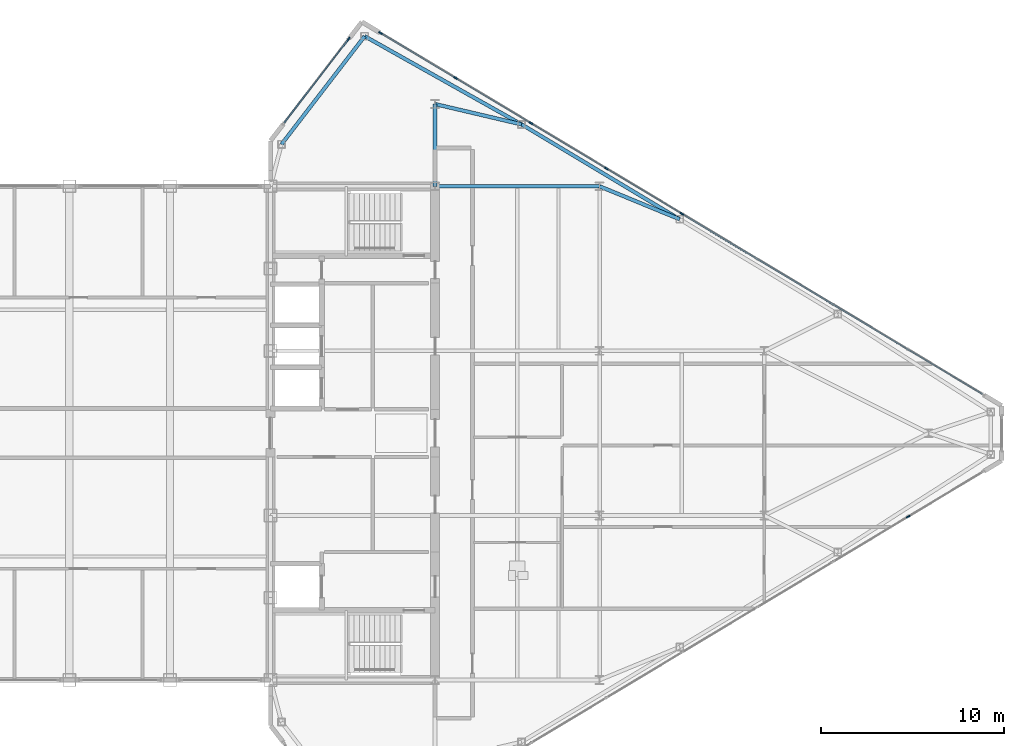
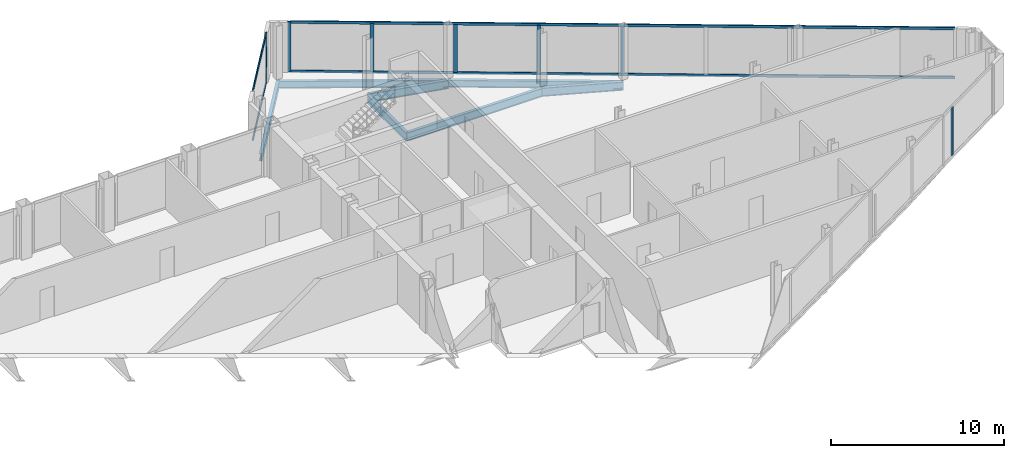
# One storey, part 17 of 28: 11 members, 7 beams, 3 elements without a shape of their own.
"""IFC4 building model written with IfcOpenShell, lengths in metres."""

from ifc_helpers import new_model, si_unit, direction, frame, origin, origin_2d, place, context, subcontext, project, spatial, rectangle, i_section, extrude, source, transform, mapped, material, layer, layer_set, material_profile, profile_set, type_object, type_shapes, element, aggregate, save


model = new_model("IFC4")

# Units and contexts
model_context = context("Model", 3, precision=1e-05, world=origin(), true_north=direction((0.0, 1.0)))
body_context = subcontext(model_context, "Body", "Model", "MODEL_VIEW")
ifc_project = project(units=[si_unit("LENGTHUNIT", "METRE"), si_unit("AREAUNIT", "SQUARE_METRE"), si_unit("VOLUMEUNIT", "CUBIC_METRE"), si_unit("PLANEANGLEUNIT", "RADIAN"), si_unit("MASSUNIT", "GRAM", prefix="KILO")], contexts=[model_context])

# Site, building, storey
site_placement = place(None, origin())
site = spatial("IfcSite", under=ifc_project, at=site_placement, CompositionType="ELEMENT")
building_placement = place(site_placement, origin())
building = spatial("IfcBuilding", under=site, at=building_placement, Name="Seokmaru Belvedere", CompositionType="ELEMENT")
storey_placement = place(building_placement, frame((0.0, 0.0, 261.89990234375)))
storey = spatial("IfcBuildingStorey", under=building, at=storey_placement, Name="L69", CompositionType="ELEMENT", Elevation=261.89990234375)

# Beams
ifc_material_1 = material(Name="Steel SM355 (355 MPa)", Category="steel")
ifc_material_profile_1 = material_profile(ifc_material_1, i_section(OverallWidth=0.199951171875, OverallDepth=0.60009765625, WebThickness=0.010986328125, FlangeThickness=0.01708984375, at=origin_2d()), Name="H-600x200x11x17")
ifc_profile_set_1 = profile_set([ifc_material_profile_1], Name="Steel SM355 (355 MPa)")
beam_type_1 = type_object("IfcBeamType", Name="Primary Floor Girder H-600", PredefinedType="BEAM", material=ifc_profile_set_1)
shared_shape_1 = source(origin(), body_context, "Body", "SweptSolid", [
    extrude(i_section(OverallWidth=0.199951171875, OverallDepth=0.60009765625, WebThickness=0.010986328125, FlangeThickness=0.01708984375, at=origin_2d()), origin(), (0.0, 0.0, 1.0), 9.0),
])
beam_1_placement = place(storey_placement, frame((36.5, 13.5, -0.52001953125), z_axis=(1.0, 0.0, 0.0), x_axis=(0.0, 1.0, 0.0)))
element("IfcBeam", 1, at=beam_1_placement, inside=storey, type_object=beam_type_1, Name="L69 E Wing Primary Girder 4", PredefinedType="BEAM", context=body_context, shape_type="MappedRepresentation", body=[
    mapped(shared_shape_1, transform((0.0, 0.0, 0.0), scale=1.0)),
])
shared_shape_2 = source(origin(), body_context, "Body", "SweptSolid", [
    extrude(i_section(OverallWidth=0.199951171875, OverallDepth=0.60009765625, WebThickness=0.010986328125, FlangeThickness=0.01708984375, at=origin_2d()), origin(), (0.0, 0.0, 1.0), 4.5),
])
beam_2_placement = place(storey_placement, frame((36.5, 13.5, -0.52001953125), z_axis=(0.0, 1.0, 0.0), x_axis=(-1.0, 0.0, 0.0)))
element("IfcBeam", 2, at=beam_2_placement, inside=storey, type_object=beam_type_1, Name="L69 E Core Shoulder Girder N", PredefinedType="BEAM", context=body_context, shape_type="MappedRepresentation", body=[
    mapped(shared_shape_2, transform((0.0, 0.0, 0.0), scale=1.0)),
])
ifc_material_profile_2 = material_profile(ifc_material_1, i_section(OverallWidth=0.199951171875, OverallDepth=0.5, WebThickness=0.010009765625, FlangeThickness=0.01611328125, at=origin_2d()), Name="H-500x200x10x16")
ifc_profile_set_2 = profile_set([ifc_material_profile_2], Name="Steel SM355 (355 MPa)")
beam_type_2 = type_object("IfcBeamType", Name="Perimeter Spandrel Beam H-500", PredefinedType="SPANDREL", material=ifc_profile_set_2)
shared_shape_3 = source(origin(), body_context, "Body", "SweptSolid", [
    extrude(i_section(OverallWidth=0.199951171875, OverallDepth=0.5, WebThickness=0.010009765625, FlangeThickness=0.01611328125, at=origin_2d()), origin(), (0.0, 0.0, 1.0), 9.842041015625),
])
beam_3_placement = place(storey_placement, frame((32.649658203125, 21.71044921875, -0.469970703125), z_axis=(0.871782151818, -0.489893743349, 0.0), x_axis=(0.489893743349, 0.871782151818, 0.0)))
element("IfcBeam", 3, at=beam_3_placement, inside=storey, type_object=beam_type_2, Name="L69 E Faceted Flank Spandrel N-1", PredefinedType="SPANDREL", context=body_context, shape_type="MappedRepresentation", body=[
    mapped(shared_shape_3, transform((0.0, 0.0, 0.0), scale=1.0)),
])
shared_shape_4 = source(origin(), body_context, "Body", "SweptSolid", [
    extrude(i_section(OverallWidth=0.199951171875, OverallDepth=0.5, WebThickness=0.010009765625, FlangeThickness=0.01611328125, at=origin_2d()), origin(), (0.0, 0.0, 1.0), 10.087646484375),
])
beam_4_placement = place(storey_placement, frame((41.229736328125, 16.888916015625, -0.469970703125), z_axis=(0.857499332045, -0.514485078056, 0.0), x_axis=(0.514485078056, 0.857499332045, 0.0)))
element("IfcBeam", 4, at=beam_4_placement, inside=storey, type_object=beam_type_2, Name="L69 E Faceted Flank Spandrel N-2", PredefinedType="SPANDREL", context=body_context, shape_type="MappedRepresentation", body=[
    mapped(shared_shape_4, transform((0.0, 0.0, 0.0), scale=1.0)),
])
shared_shape_5 = source(origin(), body_context, "Body", "SweptSolid", [
    extrude(i_section(OverallWidth=0.199951171875, OverallDepth=0.5, WebThickness=0.010009765625, FlangeThickness=0.01611328125, at=origin_2d()), origin(), (0.0, 0.0, 1.0), 7.4619140625),
])
type_shapes(beam_type_2, [shared_shape_3, shared_shape_4, shared_shape_5])
beam_5_placement = place(storey_placement, frame((32.649658203125, 21.71044921875, -0.469970703125), z_axis=(-0.609702854945, -0.792630070507, 0.0), x_axis=(0.792630070507, -0.609702854945, 0.0)))
element("IfcBeam", 5, at=beam_5_placement, inside=storey, type_object=beam_type_2, Name="L69 E Shoulder Chamfer Spandrel N", PredefinedType="SPANDREL", context=body_context, shape_type="MappedRepresentation", body=[
    mapped(shared_shape_5, transform((0.0, 0.0, 0.0), scale=1.0)),
])
shared_shape_6 = source(origin(), body_context, "Body", "SweptSolid", [
    extrude(i_section(OverallWidth=0.199951171875, OverallDepth=0.60009765625, WebThickness=0.010986328125, FlangeThickness=0.01708984375, at=origin_2d()), origin(), (0.0, 0.0, 1.0), 4.8583984375),
])
beam_6_placement = place(storey_placement, frame((41.229736328125, 16.888916015625, -0.52001953125), z_axis=(-0.97349948295, 0.228689214211, 0.0), x_axis=(-0.228689214211, -0.97349948295, 0.0)))
element("IfcBeam", 6, at=beam_6_placement, inside=storey, type_object=beam_type_1, Name="L69 E Flank Radial Floor Girder N-1", PredefinedType="BEAM", context=body_context, shape_type="MappedRepresentation", body=[
    mapped(shared_shape_6, transform((0.0, 0.0, 0.0), scale=1.0)),
])
shared_shape_7 = source(origin(), body_context, "Body", "SweptSolid", [
    extrude(i_section(OverallWidth=0.199951171875, OverallDepth=0.60009765625, WebThickness=0.010986328125, FlangeThickness=0.01708984375, at=origin_2d()), origin(), (0.0, 0.0, 1.0), 4.73583984375),
])
type_shapes(beam_type_1, [shared_shape_1, shared_shape_2, shared_shape_6, shared_shape_7])
beam_7_placement = place(storey_placement, frame((49.8798828125, 11.698974609375, -0.52001953125), z_axis=(-0.924860562953, 0.380306375301, 0.0), x_axis=(-0.380306375301, -0.924860562953, 0.0)))
element("IfcBeam", 7, at=beam_7_placement, inside=storey, type_object=beam_type_1, Name="L69 E Flank Radial Floor Girder N-2", PredefinedType="BEAM", context=body_context, shape_type="MappedRepresentation", body=[
    mapped(shared_shape_7, transform((0.0, 0.0, 0.0), scale=1.0)),
])

# Curtain wall, members
ifc_material_2 = material(Name="Bronze Triple Insulating Glass", Category="glass")
ifc_layer = layer(ifc_material_2, 0.219970703125)
ifc_layer_set = layer_set([ifc_layer], Name="Bronze Triple Insulating Glass")
curtain_wall_type = type_object("IfcCurtainWallType", Name="Sky-Gate Bridge Panorama Curtain Wall System CW-6", PredefinedType="NOTDEFINED", material=ifc_layer_set)
curtain_wall_1_placement = place(storey_placement, origin())
curtain_wall_1 = element("IfcCurtainWall", 8, at=curtain_wall_1_placement, inside=storey, type_object=curtain_wall_type, Name="L69 Curtain Wall EF4", PredefinedType="NOTDEFINED")
ifc_material_3 = material(Name="Anodised Bronze Aluminium", Category="aluminium")
ifc_material_profile_3 = material_profile(ifc_material_3, rectangle(XDim=0.074951171875, YDim=0.179931640625, at=origin_2d()), Name="CW-T-75x180")
ifc_profile_set_3 = profile_set([ifc_material_profile_3], Name="Anodised Bronze Aluminium")
member_type_1 = type_object("IfcMemberType", Name="Bronze Unitised Transom 75x180", PredefinedType="USERDEFINED", material=ifc_profile_set_3)
shared_shape_8 = source(origin(), body_context, "Body", "SweptSolid", [
    extrude(rectangle(XDim=0.074951171875, YDim=0.179931640625, at=origin_2d()), origin(), (0.0, 0.0, 1.0), 5.74072265625),
])
member_1_placement = place(storey_placement, frame((31.75, 21.525146484375, 0.03759765625), z_axis=(-0.609686097287, -0.792642960465, 0.0), x_axis=(0.792642960465, -0.609686097287, 0.0)))
member_1 = element("IfcMember", 9, at=member_1_placement, type_object=member_type_1, Name="CW:L69:EF4 Continuous Transom 1", ObjectType="TRANSOM", PredefinedType="USERDEFINED", context=body_context, shape_type="MappedRepresentation", body=[
    mapped(shared_shape_8, transform((0.0, 0.0, 0.0), scale=1.0)),
])
member_2_placement = place(storey_placement, frame((31.75, 21.525146484375, 3.49267578125), z_axis=(-0.609686097287, -0.792642960465, 0.0), x_axis=(0.792642960465, -0.609686097287, 0.0)))
member_2 = element("IfcMember", 10, at=member_2_placement, type_object=member_type_1, Name="CW:L69:EF4 Continuous Transom 2", ObjectType="TRANSOM", PredefinedType="USERDEFINED", context=body_context, shape_type="MappedRepresentation", body=[
    mapped(shared_shape_8, transform((0.0, 0.0, 0.0), scale=1.0)),
])

curtain_wall_2_placement = place(storey_placement, origin())
curtain_wall_2 = element("IfcCurtainWall", 11, at=curtain_wall_2_placement, inside=storey, type_object=curtain_wall_type, Name="L69 Curtain Wall EF3", PredefinedType="NOTDEFINED")
shared_shape_9 = source(origin(), body_context, "Body", "SweptSolid", [
    extrude(rectangle(XDim=0.074951171875, YDim=0.179931640625, at=origin_2d()), origin(), (0.0, 0.0, 1.0), 38.356689453125),
])
type_shapes(member_type_1, [shared_shape_8, shared_shape_9])
member_3_placement = place(storey_placement, frame((66.4453125, 2.1328125, 0.03759765625), z_axis=(-0.857492925713, 0.514495755428, 0.0), x_axis=(-0.514495755428, -0.857492925713, 0.0)))
member_3 = element("IfcMember", 12, at=member_3_placement, type_object=member_type_1, Name="CW:L69:EF3 Continuous Transom 1", ObjectType="TRANSOM", PredefinedType="USERDEFINED", context=body_context, shape_type="MappedRepresentation", body=[
    mapped(shared_shape_9, transform((0.0, 0.0, 0.0), scale=1.0)),
])
member_4_placement = place(storey_placement, frame((66.4453125, 2.1328125, 3.49267578125), z_axis=(-0.857492925713, 0.514495755428, 0.0), x_axis=(-0.514495755428, -0.857492925713, 0.0)))
member_4 = element("IfcMember", 13, at=member_4_placement, type_object=member_type_1, Name="CW:L69:EF3 Continuous Transom 2", ObjectType="TRANSOM", PredefinedType="USERDEFINED", context=body_context, shape_type="MappedRepresentation", body=[
    mapped(shared_shape_9, transform((0.0, 0.0, 0.0), scale=1.0)),
])
ifc_material_profile_4 = material_profile(ifc_material_3, rectangle(XDim=0.080078125, YDim=0.219970703125, at=origin_2d()), Name="CW-M-80x220")
ifc_profile_set_4 = profile_set([ifc_material_profile_4], Name="Anodised Bronze Aluminium")
member_type_2 = type_object("IfcMemberType", Name="Bronze Unitised Mullion 80x220", PredefinedType="MULLION", material=ifc_profile_set_4)
shared_shape_10 = source(origin(), body_context, "Body", "SweptSolid", [
    extrude(rectangle(XDim=0.080078125, YDim=0.219970703125, at=origin_2d()), origin(), (0.0, 0.0, 1.0), 3.530029296875),
])
member_5_placement = place(storey_placement, frame((33.5205078125, 21.8876953125, 0.0), z_axis=(0.0, 0.0, 1.0), x_axis=(-0.514494909364, -0.85749343335, 0.0)))
member_5 = element("IfcMember", 14, at=member_5_placement, type_object=member_type_2, Name="CW:L69:EF3 Mullion 9", PredefinedType="MULLION", context=body_context, shape_type="MappedRepresentation", body=[
    mapped(shared_shape_10, transform((0.0, 0.0, 0.0), scale=1.0)),
])

# Member
member_6_placement = place(storey_placement, frame((31.7744140625, 21.556884765625, 0.0), z_axis=(0.0, 0.0, 1.0), x_axis=(0.792631353244, -0.609701187349, 0.0)))
member_6 = element("IfcMember", 15, at=member_6_placement, type_object=member_type_2, Name="CW:L69:EF4 Mullion 1", PredefinedType="MULLION", context=body_context, shape_type="MappedRepresentation", body=[
    mapped(shared_shape_10, transform((0.0, 0.0, 0.0), scale=1.0)),
])

aggregate(curtain_wall_1, [member_6, member_1, member_2])

# Curtain wall, member
curtain_wall_3_placement = place(storey_placement, origin())
curtain_wall_3 = element("IfcCurtainWall", 16, at=curtain_wall_3_placement, inside=storey, type_object=curtain_wall_type, Name="L69 Curtain Wall EF1", PredefinedType="NOTDEFINED")
shared_shape_11 = source(origin(), body_context, "Body", "SweptSolid", [
    extrude(rectangle(XDim=0.080078125, YDim=0.219970703125, at=origin_2d()), origin(), (0.0, 0.0, 1.0), 3.3798828125),
])
type_shapes(member_type_2, [shared_shape_10, shared_shape_11])
member_7_placement = place(storey_placement, frame((62.385498046875, -4.56884765625, 0.0751953125), z_axis=(0.0, 0.0, 1.0), x_axis=(-0.514494909364, 0.85749343335, 0.0)))
member_7 = element("IfcMember", 17, at=member_7_placement, type_object=member_type_2, Name="CW:L69:EF1 Mullion 8", PredefinedType="MULLION", context=body_context, shape_type="MappedRepresentation", body=[
    mapped(shared_shape_11, transform((0.0, 0.0, 0.0), scale=1.0)),
])
aggregate(curtain_wall_3, [member_7])

# Member
member_8_placement = place(storey_placement, frame((50.0, 12.0, 0.0751953125), z_axis=(0.0, 0.0, 1.0), x_axis=(-0.514494909364, -0.85749343335, 0.0)))
member_8 = element("IfcMember", 18, at=member_8_placement, type_object=member_type_2, Name="CW:L69:EF3 Mullion 5", PredefinedType="MULLION", context=body_context, shape_type="MappedRepresentation", body=[
    mapped(shared_shape_11, transform((0.0, 0.0, 0.0), scale=1.0)),
])

member_9_placement = place(storey_placement, frame((45.87158203125, 14.47705078125, 0.0751953125), z_axis=(0.0, 0.0, 1.0), x_axis=(-0.514494909364, -0.85749343335, 0.0)))
member_9 = element("IfcMember", 19, at=member_9_placement, type_object=member_type_2, Name="CW:L69:EF3 Mullion 6", PredefinedType="MULLION", context=body_context, shape_type="MappedRepresentation", body=[
    mapped(shared_shape_11, transform((0.0, 0.0, 0.0), scale=1.0)),
])

member_10_placement = place(storey_placement, frame((41.742919921875, 16.9541015625, 0.0751953125), z_axis=(0.0, 0.0, 1.0), x_axis=(-0.514494909364, -0.85749343335, 0.0)))
member_10 = element("IfcMember", 20, at=member_10_placement, type_object=member_type_2, Name="CW:L69:EF3 Mullion 7", PredefinedType="MULLION", context=body_context, shape_type="MappedRepresentation", body=[
    mapped(shared_shape_11, transform((0.0, 0.0, 0.0), scale=1.0)),
])

member_11_placement = place(storey_placement, frame((37.614501953125, 19.43115234375, 0.0751953125), z_axis=(0.0, 0.0, 1.0), x_axis=(-0.514494909364, -0.85749343335, 0.0)))
member_11 = element("IfcMember", 21, at=member_11_placement, type_object=member_type_2, Name="CW:L69:EF3 Mullion 8", PredefinedType="MULLION", context=body_context, shape_type="MappedRepresentation", body=[
    mapped(shared_shape_11, transform((0.0, 0.0, 0.0), scale=1.0)),
])

aggregate(curtain_wall_2, [member_8, member_9, member_10, member_11, member_5, member_3, member_4])

save(model, "model.ifc")
